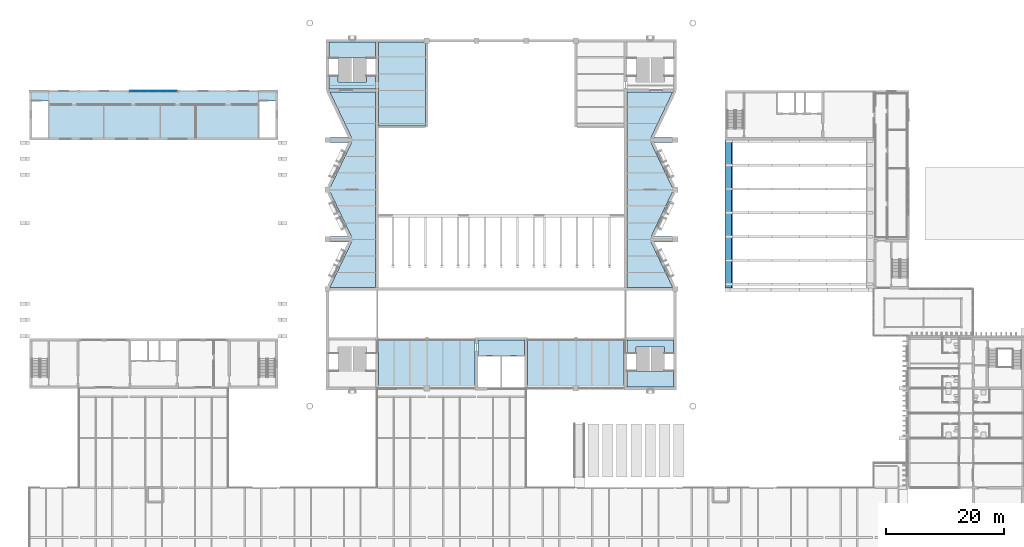
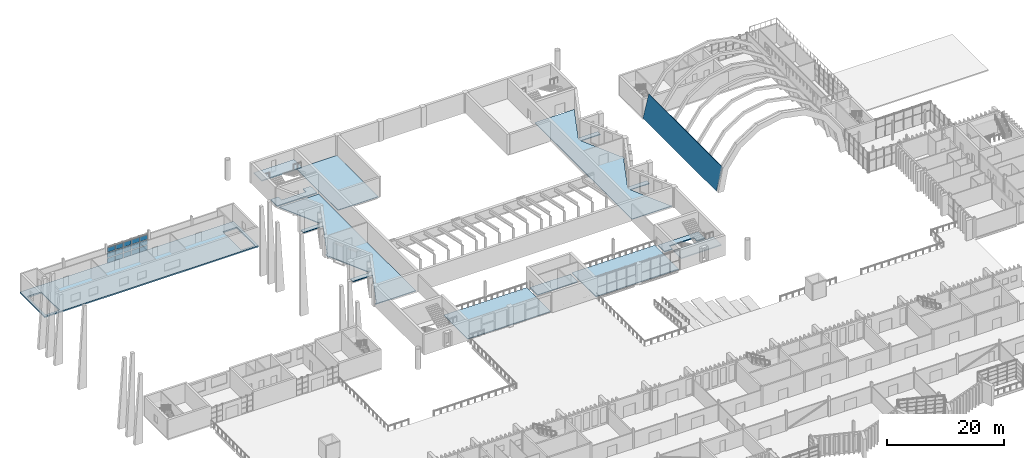
# One storey, part 52 of 96: 15 plates, 12 slabs, 3 elements without a shape of their own.
"""IFC4 building model written with IfcOpenShell, lengths in metres."""

from ifc_helpers import new_model, si_unit, direction, frame, origin, origin_2d, place, context, subcontext, project, spatial, polyline, rectangle, outline, extrude, material, layer, layer_set, type_object, element, aggregate, save


model = new_model("IFC4")

# Units and contexts
model_context = context("Model", 3, precision=1e-05, world=origin(), true_north=direction((0.0, 1.0)))
body_context = subcontext(model_context, "Body", "Model", "MODEL_VIEW")
ifc_project = project(units=[si_unit("LENGTHUNIT", "METRE"), si_unit("AREAUNIT", "SQUARE_METRE"), si_unit("VOLUMEUNIT", "CUBIC_METRE"), si_unit("PLANEANGLEUNIT", "RADIAN"), si_unit("MASSUNIT", "GRAM", prefix="KILO")], contexts=[model_context])

# Site, building, storey
site_placement = place(None, origin())
site = spatial("IfcSite", under=ifc_project, at=site_placement, CompositionType="ELEMENT")
building_placement = place(site_placement, origin())
building = spatial("IfcBuilding", under=site, at=building_placement, Name="Cresset Court Congress Hotel", CompositionType="ELEMENT")
storey_placement = place(building_placement, frame((0.0, 0.0, 6.0)))
storey = spatial("IfcBuildingStorey", under=building, at=storey_placement, Name="L01", CompositionType="ELEMENT", Elevation=6.0)

# Slabs
ifc_material_1 = material(Name="Concrete C35", Category="concrete")
ifc_layer_1 = layer(ifc_material_1, 0.14990234375)
ifc_layer_set_1 = layer_set([ifc_layer_1], Name="Composite floor slab 150")
slab_type_1 = type_object("IfcSlabType", Name="Composite floor slab 150", PredefinedType="FLOOR", material=ifc_layer_set_1)
slab_1_placement = place(storey_placement, frame((0.0, 0.0, -0.14990234375)))
element("IfcSlab", 1, at=slab_1_placement, inside=storey, type_object=slab_type_1, Name="Slab C-F01a", PredefinedType="FLOOR", context=body_context, shape_type="SweptSolid", body=[
    extrude(outline(polyline([(67.449951171875, 59.050048828125), (67.449951171875, 67.199951171875), (83.75, 67.199951171875), (83.75, 59.050048828125), (67.449951171875, 59.050048828125)])), origin(), (0.0, 0.0, 1.0), 0.14990234375),
])
slab_2_placement = place(storey_placement, frame((0.0, 0.0, -0.14990234375)))
element("IfcSlab", 2, at=slab_2_placement, inside=storey, type_object=slab_type_1, Name="Slab C-F01b", PredefinedType="FLOOR", context=body_context, shape_type="SweptSolid", body=[
    extrude(outline(polyline([(108.949951171875, 59.050048828125), (92.64990234375, 59.050048828125), (92.64990234375, 67.199951171875), (108.949951171875, 67.199951171875), (108.949951171875, 59.050048828125)])), origin(), (0.0, 0.0, 1.0), 0.14990234375),
])
slab_3_placement = place(storey_placement, frame((0.0, 0.0, -0.14990234375)))
element("IfcSlab", 3, at=slab_3_placement, inside=storey, type_object=slab_type_1, Name="Slab C-G1", PredefinedType="FLOOR", context=body_context, shape_type="SweptSolid", body=[
    extrude(outline(polyline([(66.949951171875, 108.949951171875), (66.949951171875, 75.85009765625), (59.050048828125, 75.85009765625), (59.050048828125, 76.050048828125), (59.291259765625, 76.050048828125), (59.737548828125, 76.987548828125), (60.18408203125, 77.925048828125), (60.63037109375, 78.862548828125), (61.076904296875, 79.800048828125), (61.5234375, 80.737548828125), (61.9697265625, 81.675048828125), (62.416259765625, 82.612548828125), (62.862548828125, 83.550048828125), (59.050048828125, 83.550048828125), (59.050048828125, 84.449951171875), (62.862548828125, 84.449951171875), (62.416259765625, 85.387451171875), (61.9697265625, 86.324951171875), (61.5234375, 87.262451171875), (61.076904296875, 88.199951171875), (60.63037109375, 89.137451171875), (60.18408203125, 90.074951171875), (59.737548828125, 91.012451171875), (59.291259765625, 91.949951171875), (59.050048828125, 91.949951171875), (59.050048828125, 92.85009765625), (59.291259765625, 92.85009765625), (59.737548828125, 93.78759765625), (60.18408203125, 94.72509765625), (60.63037109375, 95.66259765625), (61.076904296875, 96.60009765625), (61.5234375, 97.53759765625), (61.9697265625, 98.47509765625), (62.416259765625, 99.41259765625), (62.862548828125, 100.35009765625), (59.050048828125, 100.35009765625), (59.050048828125, 101.25), (62.862548828125, 101.25), (62.389404296875, 102.24365234375), (61.916259765625, 103.237548828125), (61.44287109375, 104.231201171875), (60.9697265625, 105.22509765625), (60.49658203125, 106.21875), (60.0234375, 107.21240234375), (59.550048828125, 108.206298828125), (59.196044921875, 108.949951171875), (66.949951171875, 108.949951171875)])), origin(), (0.0, 0.0, 1.0), 0.14990234375),
])
slab_4_placement = place(storey_placement, frame((0.0, 0.0, -0.14990234375)))
element("IfcSlab", 4, at=slab_4_placement, inside=storey, type_object=slab_type_1, Name="Slab C-G2", PredefinedType="FLOOR", context=body_context, shape_type="SweptSolid", body=[
    extrude(outline(polyline([(109.449951171875, 108.949951171875), (117.2041015625, 108.949951171875), (116.849853515625, 108.206298828125), (116.376708984375, 107.21240234375), (115.903564453125, 106.21875), (115.43017578125, 105.22509765625), (114.95703125, 104.231201171875), (114.48388671875, 103.237548828125), (114.010498046875, 102.24365234375), (113.537353515625, 101.25), (117.35009765625, 101.25), (117.35009765625, 100.35009765625), (113.537353515625, 100.35009765625), (113.98388671875, 99.41259765625), (114.43017578125, 98.47509765625), (114.876708984375, 97.53759765625), (115.322998046875, 96.60009765625), (115.76953125, 95.66259765625), (116.216064453125, 94.72509765625), (116.662353515625, 93.78759765625), (117.10888671875, 92.85009765625), (117.35009765625, 92.85009765625), (117.35009765625, 91.949951171875), (117.10888671875, 91.949951171875), (116.662353515625, 91.012451171875), (116.216064453125, 90.074951171875), (115.76953125, 89.137451171875), (115.322998046875, 88.199951171875), (114.876708984375, 87.262451171875), (114.43017578125, 86.324951171875), (113.98388671875, 85.387451171875), (113.537353515625, 84.449951171875), (117.35009765625, 84.449951171875), (117.35009765625, 83.550048828125), (113.537353515625, 83.550048828125), (113.98388671875, 82.612548828125), (114.43017578125, 81.675048828125), (114.876708984375, 80.737548828125), (115.322998046875, 79.800048828125), (115.76953125, 78.862548828125), (116.216064453125, 77.925048828125), (116.662353515625, 76.987548828125), (117.10888671875, 76.050048828125), (117.35009765625, 76.050048828125), (117.35009765625, 75.85009765625), (109.449951171875, 75.85009765625), (109.449951171875, 108.949951171875)])), origin(), (0.0, 0.0, 1.0), 0.14990234375),
])
slab_5_placement = place(storey_placement, frame((0.0, 0.0, -0.14990234375)))
element("IfcSlab", 5, at=slab_5_placement, inside=storey, type_object=slab_type_1, Name="Slab C-W101", PredefinedType="FLOOR", context=body_context, shape_type="SweptSolid", body=[
    extrude(outline(polyline([(75.39990234375, 103.199951171875), (75.39990234375, 117.35009765625), (67.449951171875, 117.35009765625), (67.449951171875, 103.199951171875), (75.39990234375, 103.199951171875)])), origin(), (0.0, 0.0, 1.0), 0.14990234375),
])
ifc_material_2 = material(Name="Concrete C50", Category="concrete")
ifc_layer_2 = layer(ifc_material_2, 0.14990234375)
ifc_layer_set_2 = layer_set([ifc_layer_2], Name="Concrete vault shell 150 C50")
slab_type_2 = type_object("IfcSlabType", Name="Concrete vault shell 150 C50", PredefinedType="ROOF", material=ifc_layer_set_2)
slab_6_placement = place(storey_placement, frame((126.0, 75.800048828125, 0.0), z_axis=(-0.971567151534, 0.0, 0.236764165489), x_axis=(0.236764165489, 0.0, 0.971567151534)))
element("IfcSlab", 6, at=slab_6_placement, inside=storey, type_object=slab_type_2, Name="Vault shell facet 1", PredefinedType="ROOF", context=body_context, shape_type="SweptSolid", body=[
    extrude(outline(polyline([(0.0, 0.0), (4.771155590795321, 0.0), (4.771155590795321, 25.0), (0.0, 25.0), (0.0, 0.0)])), origin(), (0.0, 0.0, -1.0), 0.14990234375),
])
ifc_material_3 = material(Name="Concrete C35", Category="concrete")
ifc_layer_3 = layer(ifc_material_3, 0.14990234375)
ifc_layer_set_3 = layer_set([ifc_layer_3], Name="Core floor slab 150")
slab_type_3 = type_object("IfcSlabType", Name="Core floor slab 150", PredefinedType="FLOOR", material=ifc_layer_set_3)
slab_7_placement = place(storey_placement, frame((0.0, 0.0, -0.14990234375)))
element("IfcSlab", 7, at=slab_7_placement, inside=storey, type_object=slab_type_3, Name="Slab CL-L01", PredefinedType="FLOOR", context=body_context, shape_type="SweptSolid", body=[
    extrude(outline(polyline([(92.14990234375, 64.39990234375), (92.14990234375, 66.949951171875), (84.25, 66.949951171875), (84.25, 64.39990234375), (92.14990234375, 64.39990234375)])), origin(), (0.0, 0.0, 1.0), 0.14990234375),
])
ifc_material_4 = material(Name="Concrete C35", Category="concrete")
ifc_layer_4 = layer(ifc_material_4, 0.199951171875)
ifc_layer_set_4 = layer_set([ifc_layer_4], Name="Core stair floor slab 200")
slab_type_4 = type_object("IfcSlabType", Name="Core stair floor slab 200", PredefinedType="FLOOR", material=ifc_layer_set_4)
slab_8_placement = place(storey_placement, frame((0.0, 0.0, -0.199951171875)))
element("IfcSlab", 8, at=slab_8_placement, inside=storey, type_object=slab_type_4, Name="Stair landing slab CC-C2L01", PredefinedType="FLOOR", context=body_context, shape_type="SweptSolid", body=[
    extrude(outline(polyline([(111.0, 64.75), (109.449951171875, 64.75), (109.449951171875, 65.79931640625), (109.449951171875, 66.949951171875), (111.0, 66.949951171875), (115.800048828125, 66.949951171875), (117.35009765625, 66.949951171875), (117.35009765625, 65.79931640625), (117.35009765625, 64.75), (115.800048828125, 64.75), (115.800048828125, 65.79931640625), (111.0, 65.79931640625), (111.0, 64.75)])), origin(), (0.0, 0.0, 1.0), 0.199951171875),
])
slab_9_placement = place(storey_placement, frame((0.0, 0.0, -0.199951171875)))
element("IfcSlab", 9, at=slab_9_placement, inside=storey, type_object=slab_type_4, Name="Stair landing slab CC-C3L01", PredefinedType="FLOOR", context=body_context, shape_type="SweptSolid", body=[
    extrude(outline(polyline([(66.949951171875, 109.449951171875), (65.39990234375, 109.449951171875), (60.60009765625, 109.449951171875), (59.050048828125, 109.449951171875), (59.050048828125, 110.600830078125), (59.050048828125, 111.64990234375), (60.60009765625, 111.64990234375), (60.60009765625, 110.600830078125), (65.39990234375, 110.600830078125), (65.39990234375, 111.64990234375), (66.949951171875, 111.64990234375), (66.949951171875, 110.600830078125), (66.949951171875, 109.449951171875)])), origin(), (0.0, 0.0, 1.0), 0.199951171875),
])

# Stair, slab
ifc_material_5 = material(Name="Concrete C40", Category="concrete")
stair_type = type_object("IfcStairType", Name="Core stair", PredefinedType="STRAIGHT_RUN_STAIR", material=ifc_material_5)
stair_1_placement = place(storey_placement, origin())
stair_1 = element("IfcStair", 10, at=stair_1_placement, inside=storey, type_object=stair_type, Name="Stair ST-C2 L01", PredefinedType="STRAIGHT_RUN_STAIR")
ifc_material_6 = material(Name="Concrete C40", Category="concrete")
ifc_layer_5 = layer(ifc_material_6, 0.199951171875)
ifc_layer_set_5 = layer_set([ifc_layer_5], Name="Core stair landing")
slab_type_5 = type_object("IfcSlabType", Name="Core stair landing", PredefinedType="LANDING", material=ifc_layer_set_5)
slab_10_placement = place(storey_placement, frame((0.0, 0.0, 1.89990234375)))
slab_10 = element("IfcSlab", 11, at=slab_10_placement, type_object=slab_type_5, Name="C-ST landing 1", PredefinedType="LANDING", context=body_context, shape_type="SweptSolid", body=[
    extrude(outline(polyline([(117.35009765625, 59.050048828125), (117.35009765625, 61.719970703125), (109.449951171875, 61.719970703125), (109.449951171875, 59.050048828125), (117.35009765625, 59.050048828125)])), origin(), (0.0, 0.0, 1.0), 0.2001953125),
])
aggregate(stair_1, [slab_10])

stair_2_placement = place(storey_placement, origin())
stair_2 = element("IfcStair", 12, at=stair_2_placement, inside=storey, type_object=stair_type, Name="Stair ST-C3 L01", PredefinedType="STRAIGHT_RUN_STAIR")
slab_11_placement = place(storey_placement, frame((0.0, 0.0, 1.89990234375)))
slab_11 = element("IfcSlab", 13, at=slab_11_placement, type_object=slab_type_5, Name="C-ST landing 1", PredefinedType="LANDING", context=body_context, shape_type="SweptSolid", body=[
    extrude(outline(polyline([(66.949951171875, 114.679931640625), (66.949951171875, 117.35009765625), (59.050048828125, 117.35009765625), (59.050048828125, 114.679931640625), (66.949951171875, 114.679931640625)])), origin(), (0.0, 0.0, 1.0), 0.2001953125),
])
aggregate(stair_2, [slab_11])

# Curtain wall, plates
ifc_material_7 = material(Name="Aluminium frame with insulated glass", Category="aluminium")
curtain_wall_type = type_object("IfcCurtainWallType", Name="Curtain wall module 1600", PredefinedType="NOTDEFINED", material=ifc_material_7)
curtain_wall_placement = place(storey_placement, origin())
curtain_wall = element("IfcCurtainWall", 14, at=curtain_wall_placement, inside=storey, type_object=curtain_wall_type, Name="Curtain wall N", PredefinedType="NOTDEFINED")
ifc_material_8 = material(Name="Laminated glass", Category="glass")
ifc_layer_6 = layer(ifc_material_8, 0.028076171875)
ifc_layer_set_6 = layer_set([ifc_layer_6], Name="Curtain wall glass panel 28")
plate_type = type_object("IfcPlateType", Name="Curtain wall glass panel 28", PredefinedType="CURTAIN_PANEL", material=ifc_layer_set_6)
plate_1_placement = place(storey_placement, frame((26.215087890625, 109.050048828125, 0.1201171875), z_axis=(0.0, 0.0, 1.0), x_axis=(1.0, 0.0, 0.0)))
plate_1 = element("IfcPlate", 15, at=plate_1_placement, type_object=plate_type, Name="D-X3 panel 1.1", PredefinedType="CURTAIN_PANEL", context=body_context, shape_type="SweptSolid", body=[
    extrude(rectangle(XDim=1.510009765625, YDim=0.028076171875, at=origin_2d()), origin(), (0.0, 0.0, 1.0), 0.98291015625),
])
plate_2_placement = place(storey_placement, frame((26.215087890625, 109.050048828125, 1.22314453125), z_axis=(0.0, 0.0, 1.0), x_axis=(1.0, 0.0, 0.0)))
plate_2 = element("IfcPlate", 16, at=plate_2_placement, type_object=plate_type, Name="D-X3 panel 1.2", PredefinedType="CURTAIN_PANEL", context=body_context, shape_type="SweptSolid", body=[
    extrude(rectangle(XDim=1.510009765625, YDim=0.028076171875, at=origin_2d()), origin(), (0.0, 0.0, 1.0), 1.008056640625),
])
plate_3_placement = place(storey_placement, frame((26.215087890625, 109.050048828125, 2.35107421875), z_axis=(0.0, 0.0, 1.0), x_axis=(1.0, 0.0, 0.0)))
plate_3 = element("IfcPlate", 17, at=plate_3_placement, type_object=plate_type, Name="D-X3 panel 1.3", PredefinedType="CURTAIN_PANEL", context=body_context, shape_type="SweptSolid", body=[
    extrude(rectangle(XDim=1.510009765625, YDim=0.028076171875, at=origin_2d()), origin(), (0.0, 0.0, 1.0), 0.948974609375),
])
plate_4_placement = place(storey_placement, frame((27.800048828125, 109.050048828125, 0.1201171875), z_axis=(0.0, 0.0, 1.0), x_axis=(1.0, 0.0, 0.0)))
plate_4 = element("IfcPlate", 18, at=plate_4_placement, type_object=plate_type, Name="D-X3 panel 2.1", PredefinedType="CURTAIN_PANEL", context=body_context, shape_type="SweptSolid", body=[
    extrude(rectangle(XDim=1.5400390625, YDim=0.028076171875, at=origin_2d()), origin(), (0.0, 0.0, 1.0), 0.98291015625),
])
plate_5_placement = place(storey_placement, frame((27.800048828125, 109.050048828125, 1.22314453125), z_axis=(0.0, 0.0, 1.0), x_axis=(1.0, 0.0, 0.0)))
plate_5 = element("IfcPlate", 19, at=plate_5_placement, type_object=plate_type, Name="D-X3 panel 2.2", PredefinedType="CURTAIN_PANEL", context=body_context, shape_type="SweptSolid", body=[
    extrude(rectangle(XDim=1.5400390625, YDim=0.028076171875, at=origin_2d()), origin(), (0.0, 0.0, 1.0), 1.008056640625),
])
plate_6_placement = place(storey_placement, frame((27.800048828125, 109.050048828125, 2.35107421875), z_axis=(0.0, 0.0, 1.0), x_axis=(1.0, 0.0, 0.0)))
plate_6 = element("IfcPlate", 20, at=plate_6_placement, type_object=plate_type, Name="D-X3 panel 2.3", PredefinedType="CURTAIN_PANEL", context=body_context, shape_type="SweptSolid", body=[
    extrude(rectangle(XDim=1.5400390625, YDim=0.028076171875, at=origin_2d()), origin(), (0.0, 0.0, 1.0), 0.948974609375),
])
plate_7_placement = place(storey_placement, frame((29.39990234375, 109.050048828125, 0.1201171875), z_axis=(0.0, 0.0, 1.0), x_axis=(1.0, 0.0, 0.0)))
plate_7 = element("IfcPlate", 21, at=plate_7_placement, type_object=plate_type, Name="D-X3 panel 3.1", PredefinedType="CURTAIN_PANEL", context=body_context, shape_type="SweptSolid", body=[
    extrude(rectangle(XDim=1.5400390625, YDim=0.028076171875, at=origin_2d()), origin(), (0.0, 0.0, 1.0), 0.98291015625),
])
plate_8_placement = place(storey_placement, frame((29.39990234375, 109.050048828125, 1.22314453125), z_axis=(0.0, 0.0, 1.0), x_axis=(1.0, 0.0, 0.0)))
plate_8 = element("IfcPlate", 22, at=plate_8_placement, type_object=plate_type, Name="D-X3 panel 3.2", PredefinedType="CURTAIN_PANEL", context=body_context, shape_type="SweptSolid", body=[
    extrude(rectangle(XDim=1.5400390625, YDim=0.028076171875, at=origin_2d()), origin(), (0.0, 0.0, 1.0), 1.008056640625),
])
plate_9_placement = place(storey_placement, frame((29.39990234375, 109.050048828125, 2.35107421875), z_axis=(0.0, 0.0, 1.0), x_axis=(1.0, 0.0, 0.0)))
plate_9 = element("IfcPlate", 23, at=plate_9_placement, type_object=plate_type, Name="D-X3 panel 3.3", PredefinedType="CURTAIN_PANEL", context=body_context, shape_type="SweptSolid", body=[
    extrude(rectangle(XDim=1.5400390625, YDim=0.028076171875, at=origin_2d()), origin(), (0.0, 0.0, 1.0), 0.948974609375),
])
plate_10_placement = place(storey_placement, frame((31.0, 109.050048828125, 0.1201171875), z_axis=(0.0, 0.0, 1.0), x_axis=(1.0, 0.0, 0.0)))
plate_10 = element("IfcPlate", 24, at=plate_10_placement, type_object=plate_type, Name="D-X3 panel 4.1", PredefinedType="CURTAIN_PANEL", context=body_context, shape_type="SweptSolid", body=[
    extrude(rectangle(XDim=1.5400390625, YDim=0.028076171875, at=origin_2d()), origin(), (0.0, 0.0, 1.0), 0.98291015625),
])
plate_11_placement = place(storey_placement, frame((31.0, 109.050048828125, 1.22314453125), z_axis=(0.0, 0.0, 1.0), x_axis=(1.0, 0.0, 0.0)))
plate_11 = element("IfcPlate", 25, at=plate_11_placement, type_object=plate_type, Name="D-X3 panel 4.2", PredefinedType="CURTAIN_PANEL", context=body_context, shape_type="SweptSolid", body=[
    extrude(rectangle(XDim=1.5400390625, YDim=0.028076171875, at=origin_2d()), origin(), (0.0, 0.0, 1.0), 1.008056640625),
])
plate_12_placement = place(storey_placement, frame((31.0, 109.050048828125, 2.35107421875), z_axis=(0.0, 0.0, 1.0), x_axis=(1.0, 0.0, 0.0)))
plate_12 = element("IfcPlate", 26, at=plate_12_placement, type_object=plate_type, Name="D-X3 panel 4.3", PredefinedType="CURTAIN_PANEL", context=body_context, shape_type="SweptSolid", body=[
    extrude(rectangle(XDim=1.5400390625, YDim=0.028076171875, at=origin_2d()), origin(), (0.0, 0.0, 1.0), 0.948974609375),
])
plate_13_placement = place(storey_placement, frame((32.5849609375, 109.050048828125, 0.1201171875), z_axis=(0.0, 0.0, 1.0), x_axis=(1.0, 0.0, 0.0)))
plate_13 = element("IfcPlate", 27, at=plate_13_placement, type_object=plate_type, Name="D-X3 panel 5.1", PredefinedType="CURTAIN_PANEL", context=body_context, shape_type="SweptSolid", body=[
    extrude(rectangle(XDim=1.510009765625, YDim=0.028076171875, at=origin_2d()), origin(), (0.0, 0.0, 1.0), 0.98291015625),
])
plate_14_placement = place(storey_placement, frame((32.5849609375, 109.050048828125, 1.22314453125), z_axis=(0.0, 0.0, 1.0), x_axis=(1.0, 0.0, 0.0)))
plate_14 = element("IfcPlate", 28, at=plate_14_placement, type_object=plate_type, Name="D-X3 panel 5.2", PredefinedType="CURTAIN_PANEL", context=body_context, shape_type="SweptSolid", body=[
    extrude(rectangle(XDim=1.510009765625, YDim=0.028076171875, at=origin_2d()), origin(), (0.0, 0.0, 1.0), 1.008056640625),
])
plate_15_placement = place(storey_placement, frame((32.5849609375, 109.050048828125, 2.35107421875), z_axis=(0.0, 0.0, 1.0), x_axis=(1.0, 0.0, 0.0)))
plate_15 = element("IfcPlate", 29, at=plate_15_placement, type_object=plate_type, Name="D-X3 panel 5.3", PredefinedType="CURTAIN_PANEL", context=body_context, shape_type="SweptSolid", body=[
    extrude(rectangle(XDim=1.510009765625, YDim=0.028076171875, at=origin_2d()), origin(), (0.0, 0.0, 1.0), 0.948974609375),
])
aggregate(curtain_wall, [plate_1, plate_2, plate_3, plate_4, plate_5, plate_6, plate_7, plate_8, plate_9, plate_10, plate_11, plate_12, plate_13, plate_14, plate_15])

# Slab
ifc_material_9 = material(Name="Concrete C35", Category="concrete")
ifc_layer_7 = layer(ifc_material_9, 0.280029296875)
ifc_layer_set_7 = layer_set([ifc_layer_7], Name="RC floor plate 280 C35")
slab_type_6 = type_object("IfcSlabType", Name="RC floor plate 280 C35", PredefinedType="FLOOR", material=ifc_layer_set_7)
slab_12_placement = place(storey_placement, frame((0.0, 0.0, -0.280029296875)))
element("IfcSlab", 30, at=slab_12_placement, inside=storey, type_object=slab_type_6, Name="North bay floor plate L01", PredefinedType="FLOOR", context=body_context, shape_type="SweptSolid", body=[
    extrude(outline(polyline([(8.39990234375, 100.800048828125), (50.39990234375, 100.800048828125), (50.39990234375, 109.199951171875), (8.39990234375, 109.199951171875), (8.39990234375, 100.800048828125)]), holes=[polyline([(8.800048828125, 107.399169921875), (8.800048828125, 101.199951171875), (11.550048828125, 101.199951171875), (11.550048828125, 107.399169921875), (8.800048828125, 107.399169921875)]), polyline([(47.25, 107.399169921875), (47.25, 101.199951171875), (50.0, 101.199951171875), (50.0, 107.399169921875), (47.25, 107.399169921875)])]), origin(), (0.0, 0.0, 1.0), 0.280029296875),
])

save(model, "model.ifc")
